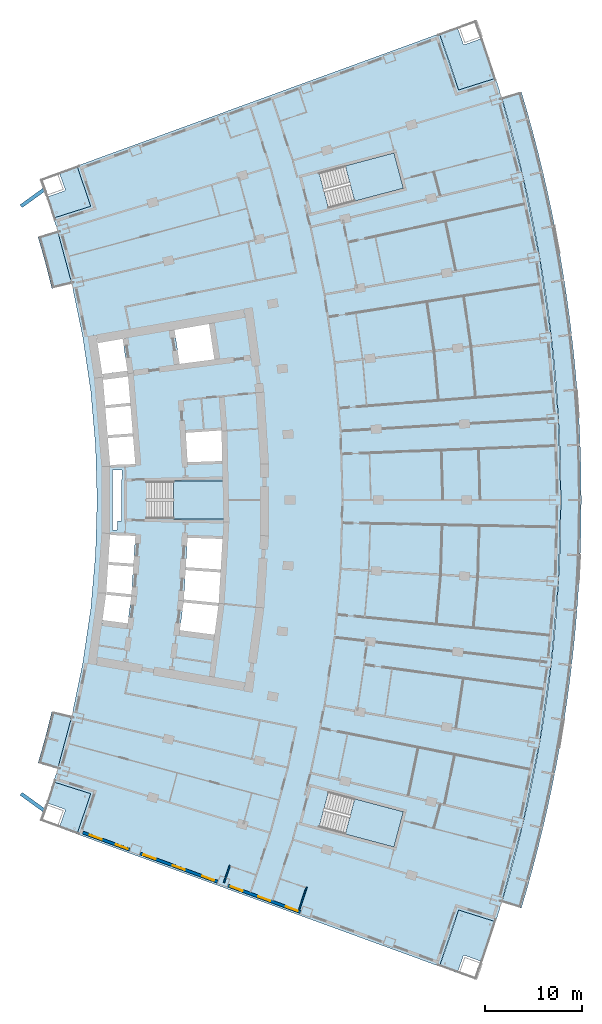
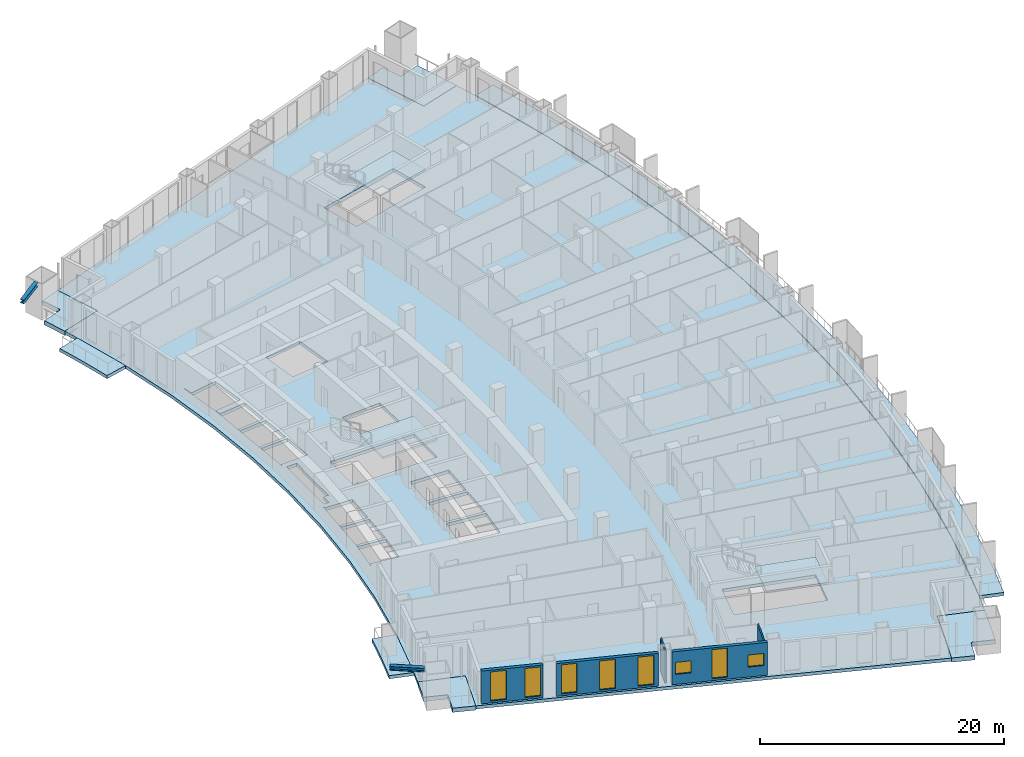
# One storey, part 12 of 25: 11 slabs, 8 windows, 5 walls, 2 members, 8 openings, 3 elements without a shape of their own.
"""IFC4 building model written with IfcOpenShell, lengths in metres."""

from ifc_helpers import new_model, si_unit, direction, frame, frame_2d, origin, origin_2d, place, context, subcontext, project, spatial, polyline, rectangle, i_section, outline, extrude, material, layer, layer_set, material_profile, profile_set, type_object, element, fill, aggregate, save


model = new_model("IFC4")

# Units and contexts
model_context = context("Model", 3, precision=1e-05, world=origin(), true_north=direction((0.0, 1.0)))
body_context = subcontext(model_context, "Body", "Model", "MODEL_VIEW")
ifc_project = project(units=[si_unit("LENGTHUNIT", "METRE"), si_unit("AREAUNIT", "SQUARE_METRE"), si_unit("VOLUMEUNIT", "CUBIC_METRE"), si_unit("PLANEANGLEUNIT", "RADIAN"), si_unit("MASSUNIT", "GRAM", prefix="KILO")], contexts=[model_context])

# Site, building, storey
site_placement = place(None, origin())
site = spatial("IfcSite", under=ifc_project, at=site_placement, CompositionType="ELEMENT")
building_placement = place(site_placement, origin())
building = spatial("IfcBuilding", under=site, at=building_placement, Name="Alderwake Tower", CompositionType="ELEMENT")
storey_placement = place(building_placement, frame((0.0, 0.0, 46.39990234375)))
storey = spatial("IfcBuildingStorey", under=building, at=storey_placement, Name="L10", CompositionType="ELEMENT", Elevation=46.39990234375)

# Members
ifc_material_1 = material(Name="Steel ASTM A992 Grade 50", Category="steel")
ifc_material_profile = material_profile(ifc_material_1, i_section(OverallWidth=0.3740234375, OverallDepth=0.372314453125, WebThickness=0.016357421875, FlangeThickness=0.026123046875, at=origin_2d()), Name="W14X132")
ifc_profile_set = profile_set([ifc_material_profile], Name="Steel ASTM A992 Grade 50")
member_type = type_object("IfcMemberType", Name="Brace node stub W14X132", PredefinedType="MEMBER", material=ifc_profile_set)
for number, where, z_axis, x_axis, name in (
    (1, (10.514892578125, 29.16943359375, 3.393798828125), (-0.810962638801, 0.585097939211, 0.0), (-0.585097939211, -0.810962638801, 0.0), "Brace node stub BS.RR01-C0.500"),
    (2, (10.514892578125, 92.83056640625, 3.393798828125), (-0.810962638801, -0.585097939211, 0.0), (0.585097939211, -0.810962638801, 0.0), "Brace node stub BS.RR13-C0.500"),
):
    element("IfcMember", number, at=place(storey_placement, frame(where, z_axis=z_axis, x_axis=x_axis)), inside=storey, type_object=member_type, Name=name, PredefinedType="MEMBER", context=body_context, shape_type="SweptSolid", body=[
        extrude(i_section(OverallWidth=0.3740234375, OverallDepth=0.372314453125, WebThickness=0.016357421875, FlangeThickness=0.026123046875, at=origin_2d()), origin(), (0.0, 0.0, 1.0), 2.861083984375),
    ])

# Slabs
ifc_material_2 = material(Name="Concrete C50/60", Category="concrete")
ifc_layer_1 = layer(ifc_material_2, 0.320068359375)
ifc_layer_set_1 = layer_set([ifc_layer_1], Name="Balcony slab 320")
slab_type_1 = type_object("IfcSlabType", Name="Balcony slab 320", PredefinedType="FLOOR", material=ifc_layer_set_1)
slab_1_placement = place(storey_placement, frame((0.0, 0.0, -0.31982421875)))
element("IfcSlab", 3, at=slab_1_placement, inside=storey, type_object=slab_type_1, Name="Balcony BF02", PredefinedType="FLOOR", context=body_context, shape_type="SweptSolid", body=[
    extrude(outline(polyline([(59.54638671875, 19.10400390625), (60.142578125, 21.1435546875), (60.708984375, 23.19140625), (61.245361328125, 25.247314453125), (61.751708984375, 27.31103515625), (62.227783203125, 29.381591796875), (62.673828125, 31.458984375), (63.089599609375, 33.54296875), (63.474609375, 35.63232421875), (63.829345703125, 37.727294921875), (64.1533203125, 39.827392578125), (64.44677734375, 41.931640625), (64.709716796875, 44.040283203125), (64.94140625, 46.15234375), (65.142578125, 48.267578125), (65.312744140625, 50.385498046875), (65.4521484375, 52.505615234375), (65.560546875, 54.627685546875), (65.637939453125, 56.7509765625), (65.6845703125, 58.875244140625), (65.699951171875, 61.0), (65.6845703125, 63.124755859375), (65.637939453125, 65.2490234375), (65.560546875, 67.372314453125), (65.4521484375, 69.494384765625), (65.312744140625, 71.614501953125), (65.142578125, 73.732421875), (64.94140625, 75.84765625), (64.709716796875, 77.959716796875), (64.44677734375, 80.068359375), (64.1533203125, 82.172607421875), (63.829345703125, 84.272705078125), (63.474609375, 86.36767578125), (63.089599609375, 88.45703125), (62.673828125, 90.541015625), (62.227783203125, 92.618408203125), (61.751708984375, 94.68896484375), (61.245361328125, 96.752685546875), (60.708984375, 98.80859375), (60.142578125, 100.8564453125), (59.54638671875, 102.89599609375), (57.53515625, 102.2919921875), (58.122802734375, 100.281982421875), (58.680908203125, 98.263671875), (59.20947265625, 96.2373046875), (59.70849609375, 94.20361328125), (60.177978515625, 92.16259765625), (60.617431640625, 90.114990234375), (61.027099609375, 88.061279296875), (61.40673828125, 86.001953125), (61.75634765625, 83.937255859375), (62.07568359375, 81.867431640625), (62.364990234375, 79.79345703125), (62.623779296875, 77.71533203125), (62.852294921875, 75.6337890625), (63.050537109375, 73.549072265625), (63.218505859375, 71.461669921875), (63.355712890625, 69.371826171875), (63.462646484375, 67.280517578125), (63.538818359375, 65.187744140625), (63.584716796875, 63.093994140625), (63.60009765625, 61.0), (63.584716796875, 58.906005859375), (63.538818359375, 56.812255859375), (63.462646484375, 54.719482421875), (63.355712890625, 52.628173828125), (63.218505859375, 50.538330078125), (63.050537109375, 48.450927734375), (62.852294921875, 46.3662109375), (62.623779296875, 44.28466796875), (62.364990234375, 42.20654296875), (62.07568359375, 40.132568359375), (61.75634765625, 38.062744140625), (61.40673828125, 35.998046875), (61.027099609375, 33.938720703125), (60.617431640625, 31.885009765625), (60.177978515625, 29.83740234375), (59.70849609375, 27.79638671875), (59.20947265625, 25.7626953125), (58.680908203125, 23.736328125), (58.122802734375, 21.718017578125), (57.53515625, 19.7080078125), (59.54638671875, 19.10400390625)])), origin(), (0.0, 0.0, 1.0), 0.31982421875),
])
slab_2_placement = place(storey_placement, frame((0.0, 0.0, -0.31982421875)))
element("IfcSlab", 4, at=slab_2_placement, inside=storey, type_object=slab_type_1, Name="Balcony BR02", PredefinedType="FLOOR", context=body_context, shape_type="SweptSolid", body=[
    extrude(outline(polyline([(9.93408203125, 33.999267578125), (11.945556640625, 33.395263671875), (13.3984375, 38.802734375), (11.35546875, 39.288330078125), (11.029052734375, 37.95849609375), (10.683349609375, 36.63330078125), (10.318359375, 35.3134765625), (9.93408203125, 33.999267578125)])), origin(), (0.0, 0.0, 1.0), 0.31982421875),
])
slab_3_placement = place(storey_placement, frame((0.0, 0.0, -0.31982421875)))
element("IfcSlab", 5, at=slab_3_placement, inside=storey, type_object=slab_type_1, Name="Balcony BR11", PredefinedType="FLOOR", context=body_context, shape_type="SweptSolid", body=[
    extrude(outline(polyline([(11.35546875, 82.711669921875), (13.3984375, 83.197265625), (11.945556640625, 88.604736328125), (9.93408203125, 88.000732421875), (10.318359375, 86.6865234375), (10.683349609375, 85.36669921875), (11.029052734375, 84.04150390625), (11.35546875, 82.711669921875)])), origin(), (0.0, 0.0, 1.0), 0.31982421875),
])
ifc_material_3 = material(Name="Concrete C50/60", Category="concrete")
ifc_layer_2 = layer(ifc_material_3, 0.320068359375)
ifc_layer_set_2 = layer_set([ifc_layer_2], Name="Concrete C50/60 post-tensioned flat plate 320")
slab_type_2 = type_object("IfcSlabType", Name="Concrete C50/60 post-tensioned flat plate 320", PredefinedType="FLOOR", material=ifc_layer_set_2)
slab_4_placement = place(storey_placement, frame((0.0, 0.0, -0.31982421875)))
element("IfcSlab", 6, at=slab_4_placement, inside=storey, type_object=slab_type_2, Name="Floor slab L10", PredefinedType="FLOOR", context=body_context, shape_type="SweptSolid", body=[
    extrude(outline(polyline([(11.533203125, 32.057373046875), (11.945556640625, 33.395263671875), (13.3984375, 38.802734375), (14.53369140625, 44.28564453125), (15.347412109375, 49.825439453125), (15.836669921875, 55.4033203125), (16.0, 61.0), (15.836669921875, 66.5966796875), (15.347412109375, 72.174560546875), (14.53369140625, 77.71435546875), (13.3984375, 83.197265625), (11.945556640625, 88.604736328125), (11.533203125, 89.942626953125), (15.34716796875, 91.1484375), (13.937255859375, 95.289794921875), (51.136474609375, 108.868408203125), (53.1044921875, 103.08740234375), (56.91845703125, 104.293212890625), (57.53515625, 102.2919921875), (59.70849609375, 94.20361328125), (61.40673828125, 86.001953125), (62.623779296875, 77.71533203125), (63.355712890625, 69.371826171875), (63.60009765625, 61.0), (63.355712890625, 52.628173828125), (62.623779296875, 44.28466796875), (61.40673828125, 35.998046875), (59.70849609375, 27.79638671875), (57.53515625, 19.7080078125), (56.91845703125, 17.706787109375), (53.1044921875, 18.91259765625), (51.136474609375, 13.131591796875), (13.937255859375, 26.710205078125), (15.34716796875, 30.8515625), (11.533203125, 32.057373046875)]), holes=[polyline([(16.943359375, 51.26953125), (16.9580078125, 51.4189453125), (16.972900390625, 51.568115234375), (19.525146484375, 51.31591796875), (19.71630859375, 54.164794921875), (17.153564453125, 54.33642578125), (17.16357421875, 54.486083984375), (17.173583984375, 54.6357421875), (19.736083984375, 54.464111328125), (19.92724609375, 57.312744140625), (17.364013671875, 57.403564453125), (17.369140625, 57.553466796875), (17.33935546875, 57.554443359375), (17.1337890625, 54.48828125), (16.927978515625, 51.421875), (16.92822265625, 51.421875), (16.50927734375, 48.377197265625), (16.5390625, 48.373291015625), (16.577880859375, 48.6708984375), (19.138671875, 48.3359375), (19.495361328125, 51.017333984375), (16.943359375, 51.26953125)]), polyline([(29.0, 62.875), (21.050048828125, 62.875), (21.050048828125, 59.125), (29.0, 59.125), (29.0, 62.875)]), polyline([(19.688720703125, 67.53271484375), (17.12548828125, 67.361083984375), (17.115478515625, 67.510498046875), (17.10546875, 67.660400390625), (19.6640625, 67.831787109375), (19.42822265625, 70.674560546875), (16.87646484375, 70.42236328125), (16.86181640625, 70.571533203125), (16.846923828125, 70.720947265625), (19.403564453125, 70.973388671875), (19.179931640625, 73.66943359375), (16.646484375, 73.338134765625), (16.607666015625, 73.635498046875), (16.56884765625, 73.93310546875), (19.111083984375, 74.265625), (18.6240234375, 77.531982421875), (18.919921875, 77.575927734375), (18.916748046875, 77.593994140625), (16.082275390625, 77.10546875), (15.9345703125, 77.9619140625), (15.634765625, 77.908935546875), (15.63525390625, 77.9052734375), (15.9140625, 77.9482421875), (16.57763671875, 73.631591796875), (16.578369140625, 73.626220703125), (16.831787109375, 70.568603515625), (17.085693359375, 67.508544921875), (17.33935546875, 64.4482421875), (17.33935546875, 64.445556640625), (17.369384765625, 64.446533203125), (17.364013671875, 64.596435546875), (19.9248046875, 64.687255859375), (19.688720703125, 67.53271484375)]), polyline([(47.436279296875, 28.996826171875), (39.754150390625, 31.043212890625), (38.7890625, 27.41943359375), (46.47119140625, 25.373291015625), (47.436279296875, 28.996826171875)]), polyline([(28.05419921875, 47.169921875), (28.4482421875, 50.1328125), (24.87451171875, 50.48583984375), (24.878662109375, 50.52783203125), (24.875, 50.5283203125), (24.48974609375, 47.635986328125), (28.05419921875, 47.169921875)]), polyline([(25.080810546875, 53.804931640625), (24.89501953125, 50.731201171875), (24.898681640625, 50.730712890625), (24.904052734375, 50.784423828125), (28.484375, 50.4306640625), (28.669921875, 53.564453125), (25.080810546875, 53.804931640625)]), polyline([(28.873291015625, 56.99609375), (25.281494140625, 57.123291015625), (25.09912109375, 54.1044921875), (28.687744140625, 53.864013671875), (28.873291015625, 56.99609375)]), polyline([(28.769287109375, 68.0869140625), (28.764892578125, 68.141357421875), (25.101318359375, 67.895751953125), (25.2822265625, 64.876708984375), (28.83740234375, 65.002685546875), (28.769287109375, 68.0869140625)]), polyline([(27.490966796875, 79.072021484375), (23.932373046875, 78.45849609375), (23.93310546875, 78.454833984375), (23.9443359375, 78.45654296875), (24.4697265625, 74.972412109375), (24.36474609375, 74.95654296875), (24.365478515625, 74.952880859375), (28.0400390625, 75.433349609375), (27.490966796875, 79.072021484375)]), polyline([(46.47119140625, 96.626708984375), (38.7890625, 94.58056640625), (39.754150390625, 90.956787109375), (47.436279296875, 93.003173828125), (46.47119140625, 96.626708984375)]), polyline([(17.58935546875, 64.05419921875), (17.58935546875, 57.94580078125), (18.065673828125, 57.928955078125), (18.090576171875, 58.84326171875), (18.544189453125, 58.8310546875), (18.529296875, 58.8681640625), (18.5234375, 58.89208984375), (18.5185546875, 58.94091796875), (18.5185546875, 63.060302734375), (18.5234375, 63.109130859375), (18.53759765625, 63.156005859375), (18.560791015625, 63.19921875), (18.588623046875, 63.233642578125), (18.565185546875, 64.088623046875), (17.58935546875, 64.05419921875)])]), origin(), (0.0, 0.0, 1.0), 0.31982421875),
])

# Stair, slab
ifc_material_4 = material(Name="Concrete C40/50", Category="concrete")
stair_type = type_object("IfcStairType", Name="Core exit stair", PredefinedType="HALF_TURN_STAIR", material=ifc_material_4)
stair_1_placement = place(storey_placement, origin())
stair_1 = element("IfcStair", 7, at=stair_1_placement, inside=storey, type_object=stair_type, Name="L10 Exit Stair B", PredefinedType="HALF_TURN_STAIR")
ifc_material_5 = material(Name="Concrete C40/50", Category="concrete")
ifc_layer_3 = layer(ifc_material_5, 0.199951171875)
ifc_layer_set_3 = layer_set([ifc_layer_3], Name="Core stair landing 200")
slab_type_3 = type_object("IfcSlabType", Name="Core stair landing 200", PredefinedType="LANDING", material=ifc_layer_set_3)
slab_5_placement = place(storey_placement, frame((0.0, 0.0, 1.60009765625)))
slab_5 = element("IfcSlab", 8, at=slab_5_placement, type_object=slab_type_3, Name="ST-B landing 1", PredefinedType="LANDING", context=body_context, shape_type="SweptSolid", body=[
    extrude(outline(polyline([(23.830078125, 59.074951171875), (29.0, 59.074951171875), (29.0, 62.925048828125), (23.830078125, 62.925048828125), (23.830078125, 59.074951171875)])), origin(), (0.0, 0.0, 1.0), 0.199951171875),
])
aggregate(stair_1, [slab_5])

stair_2_placement = place(storey_placement, origin())
stair_2 = element("IfcStair", 9, at=stair_2_placement, inside=storey, type_object=stair_type, Name="L10 Exit Stair A", PredefinedType="HALF_TURN_STAIR")
slab_6_placement = place(storey_placement, frame((0.0, 0.0, 1.60009765625)))
slab_6 = element("IfcSlab", 10, at=slab_6_placement, type_object=slab_type_3, Name="ST-A landing 1", PredefinedType="LANDING", context=body_context, shape_type="SweptSolid", body=[
    extrude(outline(polyline([(42.440673828125, 91.67236328125), (47.436279296875, 93.003173828125), (46.47119140625, 96.626708984375), (41.475341796875, 95.296142578125), (42.440673828125, 91.67236328125)])), origin(), (0.0, 0.0, 1.0), 0.199951171875),
])
aggregate(stair_2, [slab_6])

stair_3_placement = place(storey_placement, origin())
stair_3 = element("IfcStair", 11, at=stair_3_placement, inside=storey, type_object=stair_type, Name="L10 Exit Stair C", PredefinedType="HALF_TURN_STAIR")
slab_7_placement = place(storey_placement, frame((0.0, 0.0, 1.60009765625)))
slab_7 = element("IfcSlab", 12, at=slab_7_placement, type_object=slab_type_3, Name="ST-C landing 1", PredefinedType="LANDING", context=body_context, shape_type="SweptSolid", body=[
    extrude(outline(polyline([(41.475341796875, 26.703857421875), (46.47119140625, 25.373291015625), (47.436279296875, 28.996826171875), (42.4404296875, 30.32763671875), (41.475341796875, 26.703857421875)])), origin(), (0.0, 0.0, 1.0), 0.199951171875),
])
aggregate(stair_3, [slab_7])

# Slabs
ifc_material_6 = material(Name="Concrete C50/60", Category="concrete")
ifc_layer_4 = layer(ifc_material_6, 0.419921875)
ifc_layer_set_4 = layer_set([ifc_layer_4], Name="Terrace slab 420")
slab_type_4 = type_object("IfcSlabType", Name="Terrace slab 420", PredefinedType="FLOOR", material=ifc_layer_set_4)
slab_8_placement = place(storey_placement, frame((0.0, 0.0, -0.419921875)))
element("IfcSlab", 13, at=slab_8_placement, inside=storey, type_object=slab_type_4, Name="Corner terrace FS", PredefinedType="FLOOR", context=body_context, shape_type="SweptSolid", body=[
    extrude(outline(polyline([(55.59765625, 13.732177734375), (55.55029296875, 13.60009765625), (53.76611328125, 14.23876953125), (53.751953125, 14.242919921875), (53.737548828125, 14.245849609375), (53.722900390625, 14.247314453125), (53.708251953125, 14.247314453125), (53.693603515625, 14.245849609375), (53.67919921875, 14.242919921875), (53.6650390625, 14.23876953125), (53.6513671875, 14.23291015625), (53.638427734375, 14.22607421875), (53.626220703125, 14.218017578125), (53.61474609375, 14.20849609375), (53.6044921875, 14.1982421875), (53.59521484375, 14.186767578125), (53.5869140625, 14.174560546875), (53.580078125, 14.16162109375), (53.57421875, 14.14794921875), (52.970947265625, 12.4619140625), (51.136474609375, 13.131591796875), (51.820556640625, 15.048828125), (52.4765625, 16.97607421875), (53.1044921875, 18.91259765625), (56.91845703125, 17.706787109375), (56.2724609375, 15.714599609375), (55.59765625, 13.732177734375)])), origin(), (0.0, 0.0, 1.0), 0.419921875),
])
slab_9_placement = place(storey_placement, frame((0.0, 0.0, -0.419921875)))
element("IfcSlab", 14, at=slab_9_placement, inside=storey, type_object=slab_type_4, Name="Corner terrace RS", PredefinedType="FLOOR", context=body_context, shape_type="SweptSolid", body=[
    extrude(outline(polyline([(13.937255859375, 26.710205078125), (12.10888671875, 27.377685546875), (12.114013671875, 27.39013671875), (12.71533203125, 29.086669921875), (12.7197265625, 29.100830078125), (12.722412109375, 29.115234375), (12.723876953125, 29.1298828125), (12.723876953125, 29.14453125), (12.722412109375, 29.1591796875), (12.719482421875, 29.173583984375), (12.715087890625, 29.187744140625), (12.70947265625, 29.201416015625), (12.702392578125, 29.21435546875), (12.6943359375, 29.2265625), (12.684814453125, 29.23779296875), (12.674560546875, 29.248291015625), (12.6630859375, 29.257568359375), (12.65087890625, 29.265625), (12.6376953125, 29.272705078125), (12.624267578125, 29.2783203125), (10.82568359375, 29.915771484375), (11.101318359375, 30.7255859375), (11.533203125, 32.057373046875), (15.34716796875, 30.8515625), (13.937255859375, 26.710205078125)])), origin(), (0.0, 0.0, 1.0), 0.419921875),
])
slab_10_placement = place(storey_placement, frame((0.0, 0.0, -0.419921875)))
element("IfcSlab", 15, at=slab_10_placement, inside=storey, type_object=slab_type_4, Name="Corner terrace FN", PredefinedType="FLOOR", context=body_context, shape_type="SweptSolid", body=[
    extrude(outline(polyline([(55.59765625, 108.267822265625), (56.2724609375, 106.285400390625), (56.91845703125, 104.293212890625), (53.1044921875, 103.08740234375), (52.4765625, 105.02392578125), (51.820556640625, 106.951171875), (51.136474609375, 108.868408203125), (52.970947265625, 109.5380859375), (53.57421875, 107.85205078125), (53.580078125, 107.83837890625), (53.5869140625, 107.825439453125), (53.59521484375, 107.813232421875), (53.6044921875, 107.8017578125), (53.61474609375, 107.79150390625), (53.626220703125, 107.781982421875), (53.638427734375, 107.77392578125), (53.6513671875, 107.76708984375), (53.6650390625, 107.76123046875), (53.67919921875, 107.757080078125), (53.693603515625, 107.754150390625), (53.708251953125, 107.752685546875), (53.722900390625, 107.752685546875), (53.737548828125, 107.754150390625), (53.751953125, 107.757080078125), (53.76611328125, 107.76123046875), (55.55029296875, 108.39990234375), (55.59765625, 108.267822265625)])), origin(), (0.0, 0.0, 1.0), 0.419921875),
])
slab_11_placement = place(storey_placement, frame((0.0, 0.0, -0.419921875)))
element("IfcSlab", 16, at=slab_11_placement, inside=storey, type_object=slab_type_4, Name="Corner terrace RN", PredefinedType="FLOOR", context=body_context, shape_type="SweptSolid", body=[
    extrude(outline(polyline([(10.82568359375, 92.084228515625), (12.624267578125, 92.7216796875), (12.6376953125, 92.727294921875), (12.65087890625, 92.734375), (12.6630859375, 92.742431640625), (12.674560546875, 92.751708984375), (12.684814453125, 92.76220703125), (12.6943359375, 92.7734375), (12.702392578125, 92.78564453125), (12.70947265625, 92.798583984375), (12.715087890625, 92.812255859375), (12.719482421875, 92.826416015625), (12.722412109375, 92.8408203125), (12.723876953125, 92.85546875), (12.723876953125, 92.8701171875), (12.722412109375, 92.884765625), (12.7197265625, 92.899169921875), (12.71533203125, 92.913330078125), (12.114013671875, 94.60986328125), (12.10888671875, 94.622314453125), (13.937255859375, 95.289794921875), (15.34716796875, 91.1484375), (11.533203125, 89.942626953125), (11.101318359375, 91.2744140625), (10.82568359375, 92.084228515625)])), origin(), (0.0, 0.0, 1.0), 0.419921875),
])

# Wall, openings, windows
ifc_material_7 = material(Name="Bronze metal cladding on lightweight framing")
ifc_layer_5 = layer(ifc_material_7, 0.300048828125)
ifc_layer_set_5 = layer_set([ifc_layer_5], Name="External wall EW2 bronze metal cladding")
wall_type_1 = type_object("IfcWallType", Name="External wall EW2 bronze metal cladding", PredefinedType="SOLIDWALL", material=ifc_layer_set_5)
wall_1_placement = place(storey_placement, frame((14.523681640625, 26.86865234375, 0.0), z_axis=(0.0, 0.0, 1.0), x_axis=(0.939371865822, -0.342900127883, 0.0)))
wall_1 = element("IfcWall", 17, at=wall_1_placement, inside=storey, type_object=wall_type_1, Name="External wall 4", PredefinedType="SOLIDWALL", context=body_context, shape_type="SweptSolid", body=[
    extrude(rectangle(XDim=5.149169921875, YDim=0.300048828125, at=frame_2d((2.57470703125, 0.0))), origin(), (0.0, 0.0, 1.0), 3.280029296875),
])
opening_1_placement = place(wall_1_placement, frame((0.775390625, 0.0, 0.199951171875)))
opening_1 = element("IfcOpeningElement", 18, at=opening_1_placement, cuts=wall_1, Name="Opening W1", PredefinedType="OPENING", context=body_context, shape_type="SweptSolid", body=[
    extrude(rectangle(XDim=1.300048828125, YDim=2.89990234375, at=frame_2d((0.64990234375, 1.449951171875))), frame((0.0, 0.159912109375, 0.0), z_axis=(0.0, -1.0, 0.0), x_axis=(1.0, 0.0, 0.0)), (0.0, 0.0, 1.0), 0.320068359375),
])
opening_2_placement = place(wall_1_placement, frame((3.626220703125, 0.0, 0.199951171875)))
opening_2 = element("IfcOpeningElement", 19, at=opening_2_placement, cuts=wall_1, Name="Opening W1", PredefinedType="OPENING", context=body_context, shape_type="SweptSolid", body=[
    extrude(rectangle(XDim=1.300048828125, YDim=2.89990234375, at=frame_2d((0.64990234375, 1.449951171875))), frame((0.0, 0.159912109375, 0.0), z_axis=(0.0, -1.0, 0.0), x_axis=(1.0, 0.0, 0.0)), (0.0, 0.0, 1.0), 0.320068359375),
])
ifc_material_8 = material(Name="Bronze tinted glass in aluminium frame", Category="aluminium")
window_type_1 = type_object("IfcWindowType", Name="Window W1 tall fixed and vent", PartitioningType="DOUBLE_PANEL_VERTICAL", PredefinedType="WINDOW", material=ifc_material_8)
window_1_placement = place(opening_1_placement, origin())
window_1 = element("IfcWindow", 20, at=window_1_placement, inside=storey, type_object=window_type_1, Name="Window W1 tall fixed and vent", OverallHeight=2.89990234375, OverallWidth=1.300048828125, PartitioningType="DOUBLE_PANEL_VERTICAL", PredefinedType="WINDOW", context=body_context, shape_type="SweptSolid", body=[
    extrude(rectangle(XDim=1.300048828125, YDim=2.89990234375, at=frame_2d((0.64990234375, 1.449951171875))), frame((0.0, 0.030029296875, 0.0), z_axis=(0.0, -1.0, 0.0), x_axis=(1.0, 0.0, 0.0)), (0.0, 0.0, 1.0), 0.06005859375),
])
fill(opening_1, window_1)
window_2_placement = place(opening_2_placement, origin())
window_2 = element("IfcWindow", 21, at=window_2_placement, inside=storey, type_object=window_type_1, Name="Window W1 tall fixed and vent", OverallHeight=2.89990234375, OverallWidth=1.300048828125, PartitioningType="DOUBLE_PANEL_VERTICAL", PredefinedType="WINDOW", context=body_context, shape_type="SweptSolid", body=[
    extrude(rectangle(XDim=1.300048828125, YDim=2.89990234375, at=frame_2d((0.64990234375, 1.449951171875))), frame((0.0, 0.030029296875, 0.0), z_axis=(0.0, -1.0, 0.0), x_axis=(1.0, 0.0, 0.0)), (0.0, 0.0, 1.0), 0.06005859375),
])
fill(opening_2, window_2)

wall_2_placement = place(storey_placement, frame((20.398681640625, 24.72412109375, 0.0), z_axis=(0.0, 0.0, 1.0), x_axis=(0.939369809957, -0.342905759856, 0.0)))
wall_2 = element("IfcWall", 22, at=wall_2_placement, inside=storey, type_object=wall_type_1, Name="External wall 5", PredefinedType="SOLIDWALL", context=body_context, shape_type="SweptSolid", body=[
    extrude(rectangle(XDim=8.495361328125, YDim=0.300048828125, at=frame_2d((4.24755859375, 0.0))), origin(), (0.0, 0.0, 1.0), 3.280029296875),
])
opening_3_placement = place(wall_2_placement, frame((0.3974609375, 0.0, 0.199951171875)))
opening_3 = element("IfcOpeningElement", 23, at=opening_3_placement, cuts=wall_2, Name="Opening W1", PredefinedType="OPENING", context=body_context, shape_type="SweptSolid", body=[
    extrude(rectangle(XDim=1.300048828125, YDim=2.89990234375, at=frame_2d((0.64990234375, 1.449951171875))), frame((0.0, 0.159912109375, 0.0), z_axis=(0.0, -1.0, 0.0), x_axis=(1.0, 0.0, 0.0)), (0.0, 0.0, 1.0), 0.320068359375),
])
opening_4_placement = place(wall_2_placement, frame((3.597412109375, 0.0, 0.199951171875)))
opening_4 = element("IfcOpeningElement", 24, at=opening_4_placement, cuts=wall_2, Name="Opening W1", PredefinedType="OPENING", context=body_context, shape_type="SweptSolid", body=[
    extrude(rectangle(XDim=1.300048828125, YDim=2.89990234375, at=frame_2d((0.64990234375, 1.449951171875))), frame((0.0, 0.159912109375, 0.0), z_axis=(0.0, -1.0, 0.0), x_axis=(1.0, 0.0, 0.0)), (0.0, 0.0, 1.0), 0.320068359375),
])
opening_5_placement = place(wall_2_placement, frame((6.797607421875, 0.0, 0.199951171875)))
opening_5 = element("IfcOpeningElement", 25, at=opening_5_placement, cuts=wall_2, Name="Opening W1", PredefinedType="OPENING", context=body_context, shape_type="SweptSolid", body=[
    extrude(rectangle(XDim=1.300048828125, YDim=2.89990234375, at=frame_2d((0.64990234375, 1.449951171875))), frame((0.0, 0.159912109375, 0.0), z_axis=(0.0, -1.0, 0.0), x_axis=(1.0, 0.0, 0.0)), (0.0, 0.0, 1.0), 0.320068359375),
])
window_3_placement = place(opening_3_placement, origin())
window_3 = element("IfcWindow", 26, at=window_3_placement, inside=storey, type_object=window_type_1, Name="Window W1 tall fixed and vent", OverallHeight=2.89990234375, OverallWidth=1.300048828125, PartitioningType="DOUBLE_PANEL_VERTICAL", PredefinedType="WINDOW", context=body_context, shape_type="SweptSolid", body=[
    extrude(rectangle(XDim=1.300048828125, YDim=2.89990234375, at=frame_2d((0.64990234375, 1.449951171875))), frame((0.0, 0.030029296875, 0.0), z_axis=(0.0, -1.0, 0.0), x_axis=(1.0, 0.0, 0.0)), (0.0, 0.0, 1.0), 0.06005859375),
])
fill(opening_3, window_3)
window_4_placement = place(opening_4_placement, origin())
window_4 = element("IfcWindow", 27, at=window_4_placement, inside=storey, type_object=window_type_1, Name="Window W1 tall fixed and vent", OverallHeight=2.89990234375, OverallWidth=1.300048828125, PartitioningType="DOUBLE_PANEL_VERTICAL", PredefinedType="WINDOW", context=body_context, shape_type="SweptSolid", body=[
    extrude(rectangle(XDim=1.300048828125, YDim=2.89990234375, at=frame_2d((0.64990234375, 1.449951171875))), frame((0.0, 0.030029296875, 0.0), z_axis=(0.0, -1.0, 0.0), x_axis=(1.0, 0.0, 0.0)), (0.0, 0.0, 1.0), 0.06005859375),
])
fill(opening_4, window_4)
window_5_placement = place(opening_5_placement, origin())
window_5 = element("IfcWindow", 28, at=window_5_placement, inside=storey, type_object=window_type_1, Name="Window W1 tall fixed and vent", OverallHeight=2.89990234375, OverallWidth=1.300048828125, PartitioningType="DOUBLE_PANEL_VERTICAL", PredefinedType="WINDOW", context=body_context, shape_type="SweptSolid", body=[
    extrude(rectangle(XDim=1.300048828125, YDim=2.89990234375, at=frame_2d((0.64990234375, 1.449951171875))), frame((0.0, 0.030029296875, 0.0), z_axis=(0.0, -1.0, 0.0), x_axis=(1.0, 0.0, 0.0)), (0.0, 0.0, 1.0), 0.06005859375),
])
fill(opening_5, window_5)

wall_3_placement = place(storey_placement, frame((29.416748046875, 21.432373046875, 0.0), z_axis=(0.0, 0.0, 1.0), x_axis=(0.93937644601, -0.342887580237, 0.0)))
wall_3 = element("IfcWall", 29, at=wall_3_placement, inside=storey, type_object=wall_type_1, Name="External wall 6", PredefinedType="SOLIDWALL", context=body_context, shape_type="SweptSolid", body=[
    extrude(rectangle(XDim=7.96240234375, YDim=0.300048828125, at=frame_2d((3.981201171875, 0.0))), origin(), (0.0, 0.0, 1.0), 3.280029296875),
])
opening_6_placement = place(wall_3_placement, frame((0.308837890625, 0.0, 1.0)))
opening_6 = element("IfcOpeningElement", 30, at=opening_6_placement, cuts=wall_3, Name="Opening W2", PredefinedType="OPENING", context=body_context, shape_type="SweptSolid", body=[
    extrude(rectangle(XDim=1.300048828125, YDim=1.199951171875, at=frame_2d((0.64990234375, 0.60009765625))), frame((0.0, 0.159912109375, 0.0), z_axis=(0.0, -1.0, 0.0), x_axis=(1.0, 0.0, 0.0)), (0.0, 0.0, 1.0), 0.320068359375),
])
opening_7_placement = place(wall_3_placement, frame((3.3310546875, 0.0, 0.199951171875)))
opening_7 = element("IfcOpeningElement", 31, at=opening_7_placement, cuts=wall_3, Name="Opening W1", PredefinedType="OPENING", context=body_context, shape_type="SweptSolid", body=[
    extrude(rectangle(XDim=1.300048828125, YDim=2.89990234375, at=frame_2d((0.64990234375, 1.449951171875))), frame((0.0, 0.159912109375, 0.0), z_axis=(0.0, -1.0, 0.0), x_axis=(1.0, 0.0, 0.0)), (0.0, 0.0, 1.0), 0.320068359375),
])
opening_8_placement = place(wall_3_placement, frame((6.353515625, 0.0, 1.0)))
opening_8 = element("IfcOpeningElement", 32, at=opening_8_placement, cuts=wall_3, Name="Opening W2", PredefinedType="OPENING", context=body_context, shape_type="SweptSolid", body=[
    extrude(rectangle(XDim=1.300048828125, YDim=1.199951171875, at=frame_2d((0.64990234375, 0.60009765625))), frame((0.0, 0.159912109375, 0.0), z_axis=(0.0, -1.0, 0.0), x_axis=(1.0, 0.0, 0.0)), (0.0, 0.0, 1.0), 0.320068359375),
])
window_6_placement = place(opening_7_placement, origin())
window_6 = element("IfcWindow", 33, at=window_6_placement, inside=storey, type_object=window_type_1, Name="Window W1 tall fixed and vent", OverallHeight=2.89990234375, OverallWidth=1.300048828125, PartitioningType="DOUBLE_PANEL_VERTICAL", PredefinedType="WINDOW", context=body_context, shape_type="SweptSolid", body=[
    extrude(rectangle(XDim=1.300048828125, YDim=2.89990234375, at=frame_2d((0.64990234375, 1.449951171875))), frame((0.0, 0.030029296875, 0.0), z_axis=(0.0, -1.0, 0.0), x_axis=(1.0, 0.0, 0.0)), (0.0, 0.0, 1.0), 0.06005859375),
])
fill(opening_7, window_6)
ifc_material_9 = material(Name="Bronze tinted glass in aluminium frame", Category="aluminium")
window_type_2 = type_object("IfcWindowType", Name="Window W2 kitchen and bath", PartitioningType="SINGLE_PANEL", PredefinedType="WINDOW", material=ifc_material_9)
window_7_placement = place(opening_6_placement, origin())
window_7 = element("IfcWindow", 34, at=window_7_placement, inside=storey, type_object=window_type_2, Name="Window W2 kitchen and bath", OverallHeight=1.199951171875, OverallWidth=1.300048828125, PartitioningType="SINGLE_PANEL", PredefinedType="WINDOW", context=body_context, shape_type="SweptSolid", body=[
    extrude(rectangle(XDim=1.300048828125, YDim=1.199951171875, at=frame_2d((0.64990234375, 0.60009765625))), frame((0.0, 0.030029296875, 0.0), z_axis=(0.0, -1.0, 0.0), x_axis=(1.0, 0.0, 0.0)), (0.0, 0.0, 1.0), 0.06005859375),
])
fill(opening_6, window_7)
window_8_placement = place(opening_8_placement, origin())
window_8 = element("IfcWindow", 35, at=window_8_placement, inside=storey, type_object=window_type_2, Name="Window W2 kitchen and bath", OverallHeight=1.199951171875, OverallWidth=1.300048828125, PartitioningType="SINGLE_PANEL", PredefinedType="WINDOW", context=body_context, shape_type="SweptSolid", body=[
    extrude(rectangle(XDim=1.300048828125, YDim=1.199951171875, at=frame_2d((0.64990234375, 0.60009765625))), frame((0.0, 0.030029296875, 0.0), z_axis=(0.0, -1.0, 0.0), x_axis=(1.0, 0.0, 0.0)), (0.0, 0.0, 1.0), 0.06005859375),
])
fill(opening_8, window_8)

# Walls
ifc_material_10 = material(Name="Moisture resistant gypsum board on metal studs")
ifc_layer_6 = layer(ifc_material_10, 0.1201171875)
ifc_layer_set_6 = layer_set([ifc_layer_6], Name="Wet room partition 120")
wall_type_2 = type_object("IfcWallType", Name="Wet room partition 120", PredefinedType="PARTITIONING", material=ifc_layer_set_6)
wall_4_placement = place(storey_placement, frame((29.616943359375, 23.495849609375, 0.0), z_axis=(0.0, 0.0, 1.0), x_axis=(-0.315242462823, -0.949011164125, 0.0)))
element("IfcWall", 36, at=wall_4_placement, inside=storey, type_object=wall_type_2, Name="WL/L10/W42", PredefinedType="PARTITIONING", context=body_context, shape_type="SweptSolid", body=[
    extrude(rectangle(XDim=1.858642578125, YDim=0.1201171875, at=frame_2d((0.92919921875, 0.0))), origin(), (0.0, 0.0, 1.0), 3.280029296875),
])
wall_5_placement = place(storey_placement, frame((36.735107421875, 18.9208984375, 0.0), z_axis=(0.0, 0.0, 1.0), x_axis=(0.314288281989, 0.949327591406, 0.0)))
element("IfcWall", 37, at=wall_5_placement, inside=storey, type_object=wall_type_2, Name="WL/L10/W48", PredefinedType="PARTITIONING", context=body_context, shape_type="SweptSolid", body=[
    extrude(rectangle(XDim=2.45556640625, YDim=0.1201171875, at=frame_2d((1.227783203125, 0.0))), origin(), (0.0, 0.0, 1.0), 3.280029296875),
])

save(model, "model.ifc")
